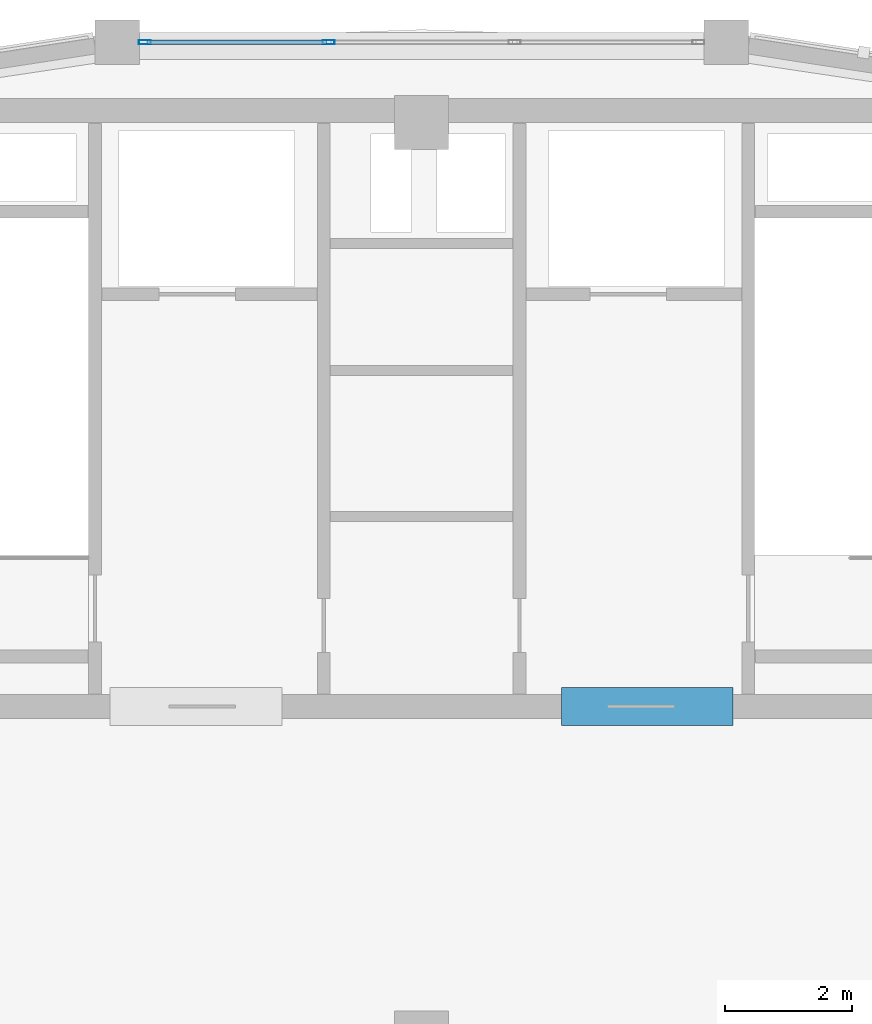
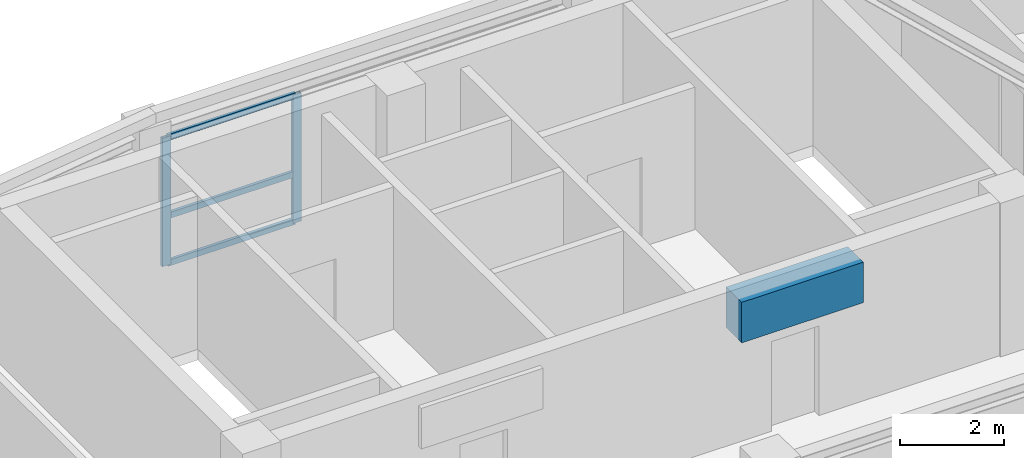
# One storey, part 7 of 13: 5 members, 1 beam, 1 element without a shape of its own.
"""IFC4 building model written with IfcOpenShell, lengths in metres."""

from ifc_helpers import new_model, si_unit, derived_unit, direction, frame, origin, origin_2d, place, context, subcontext, project, spatial, rectangle, hollow_rectangle, extrude, source, transform, mapped, material, layer, layer_set, material_profile, profile_set, type_object, element, aggregate, save


model = new_model("IFC4")

# Units and contexts
model_context = context("Model", 3, precision=1e-05, world=origin(), true_north=direction((0.0, 1.0)))
body_context = subcontext(model_context, "Body", "Model", "MODEL_VIEW")
ifc_project = project(units=[si_unit("LENGTHUNIT", "METRE"), si_unit("AREAUNIT", "SQUARE_METRE"), si_unit("VOLUMEUNIT", "CUBIC_METRE"), si_unit("PLANEANGLEUNIT", "RADIAN"), si_unit("MASSUNIT", "GRAM", prefix="KILO"), derived_unit("THERMALTRANSMITTANCEUNIT", [(si_unit("POWERUNIT", "WATT"), 1), (si_unit("LENGTHUNIT", "METRE"), -2), (si_unit("THERMODYNAMICTEMPERATUREUNIT", "KELVIN"), -1)])], contexts=[model_context])

# Site, building, storey
site_placement = place(None, origin())
site = spatial("IfcSite", under=ifc_project, at=site_placement, CompositionType="ELEMENT")
building_placement = place(site_placement, origin())
building = spatial("IfcBuilding", under=site, at=building_placement, Name="Korsvarv Bourse and Concert Hall", CompositionType="ELEMENT")
storey_placement = place(building_placement, frame((0.0, 0.0, 296.10009765625)))
storey = spatial("IfcBuildingStorey", under=building, at=storey_placement, Name="L77", CompositionType="ELEMENT", Elevation=296.10009765625)

# Beam
ifc_material_1 = material(Name="Concrete C55/67", Category="concrete")
ifc_material_profile_1 = material_profile(ifc_material_1, rectangle(XDim=0.60009765625, YDim=0.949951171875, at=origin_2d()), Name="RC-BM 600x950")
ifc_profile_set_1 = profile_set([ifc_material_profile_1], Name="Concrete C55/67")
beam_type = type_object("IfcBeamType", Name="BM-CPL", PredefinedType="LINTEL", material=ifc_profile_set_1)
shared_shape_1 = source(origin(), body_context, "Body", "SweptSolid", [
    extrude(rectangle(XDim=0.60009765625, YDim=0.949951171875, at=origin_2d()), origin(), (0.0, 0.0, 1.0), 2.699951171875),
])
beam_placement = place(storey_placement, frame((38.199951171875, 37.610107421875, 2.864990234375), z_axis=(1.0, 0.0, 0.0), x_axis=(0.0, 1.0, 0.0)))
element("IfcBeam", 1, at=beam_placement, inside=storey, type_object=beam_type, Name="L77 Core Coupling Beam East", PredefinedType="LINTEL", context=body_context, shape_type="MappedRepresentation", body=[
    mapped(shared_shape_1, transform((0.0, 0.0, 0.0), scale=1.0)),
])

# Curtain wall, members
ifc_material_2 = material(Name="Anodised aluminium and triple low-E glazing", Category="glass")
ifc_layer = layer(ifc_material_2, 0.22998046875)
ifc_layer_set = layer_set([ifc_layer], Name="Anodised aluminium and triple low-E glazing")
curtain_wall_type = type_object("IfcCurtainWallType", Name="CW-SYS-6", PredefinedType="NOTDEFINED", material=ifc_layer_set)
curtain_wall_placement = place(storey_placement, origin())
curtain_wall = element("IfcCurtainWall", 2, at=curtain_wall_placement, inside=storey, type_object=curtain_wall_type, Name="L77 CW6 curtain wall CW-L77-CRN03", PredefinedType="NOTDEFINED")
ifc_material_3 = material(Name="Extruded aluminium EN AW-6063 T66", Category="aluminium")
ifc_material_profile_2 = material_profile(ifc_material_3, hollow_rectangle(XDim=0.070068359375, YDim=0.18994140625, WallThickness=0.0048828125, at=origin_2d()), Name="ALU-M 70x190")
ifc_profile_set_2 = profile_set([ifc_material_profile_2], Name="Extruded aluminium EN AW-6063 T66")
member_type_1 = type_object("IfcMemberType", Name="CWM-190", PredefinedType="MULLION", material=ifc_profile_set_2)
shared_shape_2 = source(origin(), body_context, "Body", "SweptSolid", [
    extrude(hollow_rectangle(XDim=0.070068359375, YDim=0.18994140625, WallThickness=0.0048828125, at=origin_2d()), origin(), (0.0, 0.0, 1.0), 3.010009765625),
])
member_1_placement = place(storey_placement, frame((34.53662109375, 48.06494140625, 0.0), z_axis=(0.0, 0.0, 1.0), x_axis=(0.0, -1.0, 0.0)))
member_1 = element("IfcMember", 3, at=member_1_placement, type_object=member_type_1, Name="CW6 mullion 3", PredefinedType="MULLION", context=body_context, shape_type="MappedRepresentation", body=[
    mapped(shared_shape_2, transform((0.0, 0.0, 0.0), scale=1.0)),
])
member_2_placement = place(storey_placement, frame((31.645263671875, 48.06494140625, 0.0), z_axis=(0.0, 0.0, 1.0), x_axis=(0.0, -1.0, 0.0)))
member_2 = element("IfcMember", 4, at=member_2_placement, type_object=member_type_1, Name="CW6 mullion 4", PredefinedType="MULLION", context=body_context, shape_type="MappedRepresentation", body=[
    mapped(shared_shape_2, transform((0.0, 0.0, 0.0), scale=1.0)),
])
ifc_material_profile_3 = material_profile(ifc_material_3, hollow_rectangle(XDim=0.06494140625, YDim=0.139892578125, WallThickness=0.00390625, at=origin_2d()), Name="ALU-T 65x140")
ifc_profile_set_3 = profile_set([ifc_material_profile_3], Name="Extruded aluminium EN AW-6063 T66")
member_type_2 = type_object("IfcMemberType", Name="CWT-140", PredefinedType="USERDEFINED", material=ifc_profile_set_3)
shared_shape_3 = source(origin(), body_context, "Body", "SweptSolid", [
    extrude(hollow_rectangle(XDim=0.06494140625, YDim=0.139892578125, WallThickness=0.00390625, at=origin_2d()), origin(), (0.0, 0.0, 1.0), 2.821533203125),
])
member_3_placement = place(storey_placement, frame((34.501708984375, 48.06494140625, 0.032470703125), z_axis=(-1.0, 0.0, 0.0), x_axis=(0.0, -1.0, 0.0)))
member_3 = element("IfcMember", 5, at=member_3_placement, type_object=member_type_2, Name="CW6 transom 3.1", ObjectType="TRANSOM", PredefinedType="USERDEFINED", context=body_context, shape_type="MappedRepresentation", body=[
    mapped(shared_shape_3, transform((0.0, 0.0, 0.0), scale=1.0)),
])
member_4_placement = place(storey_placement, frame((34.501708984375, 48.06494140625, 1.143798828125), z_axis=(-1.0, 0.0, 0.0), x_axis=(0.0, -1.0, 0.0)))
member_4 = element("IfcMember", 6, at=member_4_placement, type_object=member_type_2, Name="CW6 transom 3.2", ObjectType="TRANSOM", PredefinedType="USERDEFINED", context=body_context, shape_type="MappedRepresentation", body=[
    mapped(shared_shape_3, transform((0.0, 0.0, 0.0), scale=1.0)),
])
member_5_placement = place(storey_placement, frame((34.501708984375, 48.06494140625, 2.977294921875), z_axis=(-1.0, 0.0, 0.0), x_axis=(0.0, -1.0, 0.0)))
member_5 = element("IfcMember", 7, at=member_5_placement, type_object=member_type_2, Name="CW6 transom 3.3", ObjectType="TRANSOM", PredefinedType="USERDEFINED", context=body_context, shape_type="MappedRepresentation", body=[
    mapped(shared_shape_3, transform((0.0, 0.0, 0.0), scale=1.0)),
])
aggregate(curtain_wall, [member_1, member_2, member_3, member_4, member_5])

save(model, "model.ifc")
